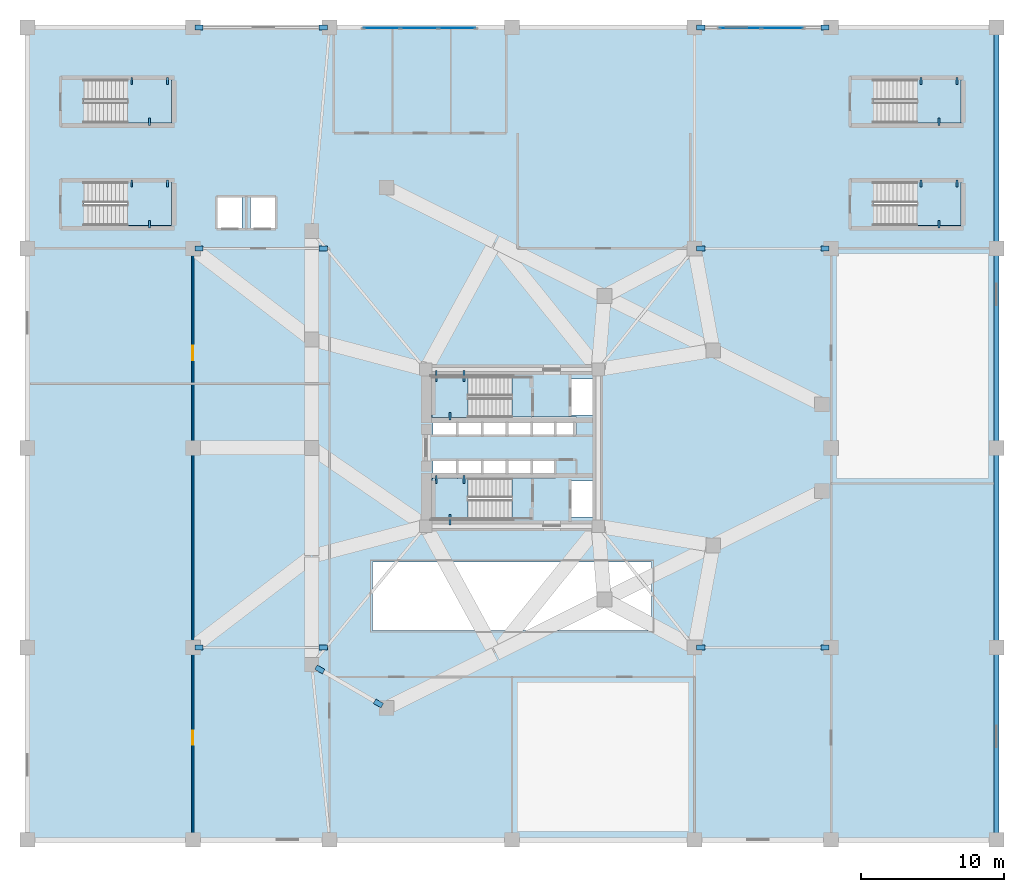
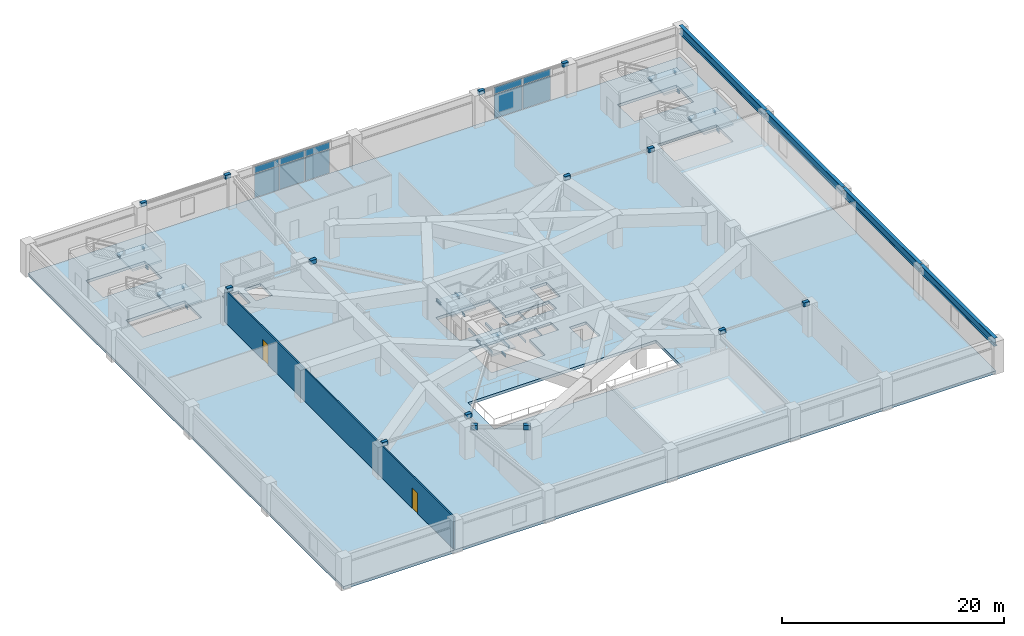
# One storey, part 4 of 16: 24 plates, 22 beams, 7 slabs, 2 doors, 1 wall, 2 openings, 8 elements without a shape of their own.
"""IFC4 building model written with IfcOpenShell, lengths in metres."""

from ifc_helpers import new_model, si_unit, direction, frame, frame_2d, origin, origin_2d, place, context, subcontext, project, spatial, polyline, rectangle, i_section, outline, extrude, source, transform, mapped, material, layer, layer_set, material_profile, profile_set, type_object, element, fill, aggregate, save


model = new_model("IFC4")

# Units and contexts
model_context = context("Model", 3, precision=1e-05, world=origin(), true_north=direction((0.0, 1.0)))
body_context = subcontext(model_context, "Body", "Model", "MODEL_VIEW")
ifc_project = project(units=[si_unit("LENGTHUNIT", "METRE"), si_unit("AREAUNIT", "SQUARE_METRE"), si_unit("VOLUMEUNIT", "CUBIC_METRE"), si_unit("PLANEANGLEUNIT", "RADIAN"), si_unit("MASSUNIT", "GRAM", prefix="KILO")], contexts=[model_context])

# Site, building, storey
site_placement = place(None, origin())
site = spatial("IfcSite", under=ifc_project, at=site_placement, CompositionType="ELEMENT")
building_placement = place(site_placement, origin())
building = spatial("IfcBuilding", under=site, at=building_placement, Name="Yunling Apex Tower", CompositionType="ELEMENT")
storey_placement = place(building_placement, frame((0.0, 0.0, 16.199951171875)))
storey = spatial("IfcBuildingStorey", under=building, at=storey_placement, Name="L05", CompositionType="ELEMENT", Elevation=16.199951171875)

# Beams
ifc_material_1 = material(Name="Steel Q355B", Category="steel")
ifc_material_profile_1 = material_profile(ifc_material_1, i_section(OverallWidth=0.125, OverallDepth=0.25, WebThickness=0.006103515625, FlangeThickness=0.009033203125, FilletRadius=0.011962890625, at=origin_2d()))
ifc_profile_set_1 = profile_set([ifc_material_profile_1], Name="Steel Q355B")
beam_type_1 = type_object("IfcBeamType", Name="BL-LNT-1", PredefinedType="LINTEL", material=ifc_profile_set_1)
shared_shape_1 = source(origin(), body_context, "Body", "SweptSolid", [
    extrude(i_section(OverallWidth=0.125, OverallDepth=0.25, WebThickness=0.006103515625, FlangeThickness=0.009033203125, FilletRadius=0.011962890625, at=origin_2d()), origin(), (0.0, 0.0, 1.0), 0.760009765625),
])
for number, where, z_axis, x_axis, name in (
    (1, (-5.320068359375, 5.419921875, 1.630126953125), (0.0, -1.0, 0.0), (1.0, 0.0, 0.0), "L05 ST-1 Landing Bearing Corbel 1-1"),
    (2, (-3.3701171875, 5.419921875, 1.630126953125), (0.0, -1.0, 0.0), (1.0, 0.0, 0.0), "L05 ST-1 Landing Bearing Corbel 1-2"),
    (3, (-4.344970703125, -5.419921875, 1.630126953125), (0.0, 1.0, 0.0), (-1.0, 0.0, 0.0), "L05 ST-2 Landing Bearing Corbel 1-3"),
):
    element("IfcBeam", number, at=place(storey_placement, frame(where, z_axis=z_axis, x_axis=x_axis)), inside=storey, type_object=beam_type_1, Name=name, PredefinedType="LINTEL", context=body_context, shape_type="MappedRepresentation", body=[
        mapped(shared_shape_1, transform((0.0, 0.0, 0.0), scale=1.0)),
    ])
shared_shape_2 = source(origin(), body_context, "Body", "SweptSolid", [
    extrude(i_section(OverallWidth=0.125, OverallDepth=0.25, WebThickness=0.006103515625, FlangeThickness=0.009033203125, FilletRadius=0.011962890625, at=origin_2d()), origin(), (0.0, 0.0, 1.0), 0.550048828125),
])
for number, where, z_axis, x_axis, name in (
    (4, (-4.344970703125, 1.93994140625, 1.630126953125), (0.0, 1.0, 0.0), (-1.0, 0.0, 0.0), "L05 ST-1 Landing Bearing Corbel 1-3"),
    (5, (-5.320068359375, -1.93994140625, 1.630126953125), (0.0, -1.0, 0.0), (1.0, 0.0, 0.0), "L05 ST-2 Landing Bearing Corbel 1-1"),
    (6, (-3.3701171875, -1.93994140625, 1.630126953125), (0.0, -1.0, 0.0), (1.0, 0.0, 0.0), "L05 ST-2 Landing Bearing Corbel 1-2"),
):
    element("IfcBeam", number, at=place(storey_placement, frame(where, z_axis=z_axis, x_axis=x_axis)), inside=storey, type_object=beam_type_1, Name=name, PredefinedType="LINTEL", context=body_context, shape_type="MappedRepresentation", body=[
        mapped(shared_shape_2, transform((0.0, 0.0, 0.0), scale=1.0)),
    ])
shared_shape_3 = source(origin(), body_context, "Body", "SweptSolid", [
    extrude(i_section(OverallWidth=0.125, OverallDepth=0.25, WebThickness=0.006103515625, FlangeThickness=0.009033203125, FilletRadius=0.011962890625, at=origin_2d()), origin(), (0.0, 0.0, 1.0), 0.47998046875),
])
for number, where, z_axis, x_axis, name in (
    (7, (-26.68994140625, 18.780029296875, 1.630126953125), (0.0, -1.0, 0.0), (1.0, 0.0, 0.0), "L05 ST-P1 Landing Bearing Corbel 1-1"),
    (8, (-24.179931640625, 18.780029296875, 1.630126953125), (0.0, -1.0, 0.0), (1.0, 0.0, 0.0), "L05 ST-P1 Landing Bearing Corbel 1-2"),
    (9, (28.7099609375, 18.780029296875, 1.630126953125), (0.0, -1.0, 0.0), (1.0, 0.0, 0.0), "L05 ST-P2 Landing Bearing Corbel 1-1"),
    (10, (31.219970703125, 18.780029296875, 1.630126953125), (0.0, -1.0, 0.0), (1.0, 0.0, 0.0), "L05 ST-P2 Landing Bearing Corbel 1-2"),
    (11, (-26.68994140625, 25.97998046875, 1.630126953125), (0.0, -1.0, 0.0), (1.0, 0.0, 0.0), "L05 ST-G1 Landing Bearing Corbel 1-1"),
    (12, (-24.179931640625, 25.97998046875, 1.630126953125), (0.0, -1.0, 0.0), (1.0, 0.0, 0.0), "L05 ST-G1 Landing Bearing Corbel 1-2"),
    (13, (28.7099609375, 25.97998046875, 1.630126953125), (0.0, -1.0, 0.0), (1.0, 0.0, 0.0), "L05 ST-G2 Landing Bearing Corbel 1-1"),
    (14, (31.219970703125, 25.97998046875, 1.630126953125), (0.0, -1.0, 0.0), (1.0, 0.0, 0.0), "L05 ST-G2 Landing Bearing Corbel 1-2"),
):
    element("IfcBeam", number, at=place(storey_placement, frame(where, z_axis=z_axis, x_axis=x_axis)), inside=storey, type_object=beam_type_1, Name=name, PredefinedType="LINTEL", context=body_context, shape_type="MappedRepresentation", body=[
        mapped(shared_shape_3, transform((0.0, 0.0, 0.0), scale=1.0)),
    ])
shared_shape_4 = source(origin(), body_context, "Body", "SweptSolid", [
    extrude(i_section(OverallWidth=0.125, OverallDepth=0.25, WebThickness=0.006103515625, FlangeThickness=0.009033203125, FilletRadius=0.011962890625, at=origin_2d()), origin(), (0.0, 0.0, 1.0), 0.530029296875),
])
for number, where, z_axis, x_axis, name in (
    (15, (-25.43505859375, 15.419921875, 1.630126953125), (0.0, 1.0, 0.0), (-1.0, 0.0, 0.0), "L05 ST-P1 Landing Bearing Corbel 1-3"),
    (16, (29.965087890625, 15.419921875, 1.630126953125), (0.0, 1.0, 0.0), (-1.0, 0.0, 0.0), "L05 ST-P2 Landing Bearing Corbel 1-3"),
):
    element("IfcBeam", number, at=place(storey_placement, frame(where, z_axis=z_axis, x_axis=x_axis)), inside=storey, type_object=beam_type_1, Name=name, PredefinedType="LINTEL", context=body_context, shape_type="MappedRepresentation", body=[
        mapped(shared_shape_4, transform((0.0, 0.0, 0.0), scale=1.0)),
    ])
shared_shape_5 = source(origin(), body_context, "Body", "SweptSolid", [
    extrude(i_section(OverallWidth=0.125, OverallDepth=0.25, WebThickness=0.006103515625, FlangeThickness=0.009033203125, FilletRadius=0.011962890625, at=origin_2d()), origin(), (0.0, 0.0, 1.0), 0.52978515625),
])
for number, where, z_axis, x_axis, name in (
    (17, (-25.43505859375, 22.6201171875, 1.630126953125), (0.0, 1.0, 0.0), (-1.0, 0.0, 0.0), "L05 ST-G1 Landing Bearing Corbel 1-3"),
    (18, (29.965087890625, 22.6201171875, 1.630126953125), (0.0, 1.0, 0.0), (-1.0, 0.0, 0.0), "L05 ST-G2 Landing Bearing Corbel 1-3"),
):
    element("IfcBeam", number, at=place(storey_placement, frame(where, z_axis=z_axis, x_axis=x_axis)), inside=storey, type_object=beam_type_1, Name=name, PredefinedType="LINTEL", context=body_context, shape_type="MappedRepresentation", body=[
        mapped(shared_shape_5, transform((0.0, 0.0, 0.0), scale=1.0)),
    ])
ifc_material_profile_2 = material_profile(ifc_material_1, i_section(OverallWidth=0.35009765625, OverallDepth=0.89990234375, WebThickness=0.01806640625, FlangeThickness=0.028076171875, FilletRadius=0.02392578125, at=origin_2d()))
ifc_profile_set_2 = profile_set([ifc_material_profile_2], Name="Steel Q355B")
beam_type_2 = type_object("IfcBeamType", Name="BG-PRI-1", PredefinedType="USERDEFINED", material=ifc_profile_set_2)
shared_shape_6 = source(origin(), body_context, "Body", "SweptSolid", [
    extrude(i_section(OverallWidth=0.35009765625, OverallDepth=0.89990234375, WebThickness=0.01806640625, FlangeThickness=0.028076171875, FilletRadius=0.02392578125, at=origin_2d()), origin(), (0.0, 0.0, 1.0), 13.419921875),
])
beam_1_placement = place(storey_placement, frame((34.0, -27.4599609375, 3.130126953125), z_axis=(0.0, 1.0, 0.0), x_axis=(-1.0, 0.0, 0.0)))
element("IfcBeam", 19, at=beam_1_placement, inside=storey, type_object=beam_type_2, Name="L05 Podium Side Girder 17", ObjectType="GIRDER", PredefinedType="USERDEFINED", context=body_context, shape_type="MappedRepresentation", body=[
    mapped(shared_shape_6, transform((0.0, 0.0, 0.0), scale=1.0)),
])
shared_shape_7 = source(origin(), body_context, "Body", "SweptSolid", [
    extrude(i_section(OverallWidth=0.35009765625, OverallDepth=0.89990234375, WebThickness=0.01806640625, FlangeThickness=0.028076171875, FilletRadius=0.02392578125, at=origin_2d()), origin(), (0.0, 0.0, 1.0), 13.919921875),
])
for number, where, z_axis, x_axis, name in (
    (20, (34.0, -13.9599609375, 3.130126953125), (0.0, 1.0, 0.0), (-1.0, 0.0, 0.0), "L05 Podium Side Girder 18"),
    (21, (34.0, 0.0400390625, 3.130126953125), (0.0, 1.0, 0.0), (-1.0, 0.0, 0.0), "L05 Podium Side Girder 19"),
):
    element("IfcBeam", number, at=place(storey_placement, frame(where, z_axis=z_axis, x_axis=x_axis)), inside=storey, type_object=beam_type_2, Name=name, ObjectType="GIRDER", PredefinedType="USERDEFINED", context=body_context, shape_type="MappedRepresentation", body=[
        mapped(shared_shape_7, transform((0.0, 0.0, 0.0), scale=1.0)),
    ])
shared_shape_8 = source(origin(), body_context, "Body", "SweptSolid", [
    extrude(i_section(OverallWidth=0.35009765625, OverallDepth=0.89990234375, WebThickness=0.01806640625, FlangeThickness=0.028076171875, FilletRadius=0.02392578125, at=origin_2d()), origin(), (0.0, 0.0, 1.0), 15.419921875),
])
beam_2_placement = place(storey_placement, frame((34.0, 14.0400390625, 3.130126953125), z_axis=(0.0, 1.0, 0.0), x_axis=(-1.0, 0.0, 0.0)))
element("IfcBeam", 22, at=beam_2_placement, inside=storey, type_object=beam_type_2, Name="L05 Podium Side Girder 20", ObjectType="GIRDER", PredefinedType="USERDEFINED", context=body_context, shape_type="MappedRepresentation", body=[
    mapped(shared_shape_8, transform((0.0, 0.0, 0.0), scale=1.0)),
])

# Stair, slab
ifc_material_2 = material(Name="Concrete C40", Category="concrete")
stair_type_1 = type_object("IfcStairType", Name="ST-TWR-1", PredefinedType="HALF_TURN_STAIR", material=ifc_material_2)
stair_1_placement = place(storey_placement, origin())
stair_1 = element("IfcStair", 23, at=stair_1_placement, inside=storey, type_object=stair_type_1, Name="L05 North Core Smokeproof Exit Stair ST-1", PredefinedType="HALF_TURN_STAIR")
ifc_layer_1 = layer(ifc_material_2, 0.195068359375)
ifc_layer_set_1 = layer_set([ifc_layer_1], Name="Concrete C40")
slab_type_1 = type_object("IfcSlabType", Name="SL-LND-1", PredefinedType="LANDING", material=ifc_layer_set_1)
slab_1_placement = place(storey_placement, frame((0.0, 0.0, 1.755126953125)))
slab_1 = element("IfcSlab", 24, at=slab_1_placement, type_object=slab_type_1, Name="ST-1 landing 1", PredefinedType="LANDING", context=body_context, shape_type="SweptSolid", body=[
    extrude(outline(polyline([(-3.090087890625, 5.010009765625), (-5.60009765625, 5.010009765625), (-5.60009765625, 2.139892578125), (-3.090087890625, 2.139892578125), (-3.090087890625, 5.010009765625)])), origin(), (0.0, 0.0, 1.0), 0.19482421875),
])
aggregate(stair_1, [slab_1])

stair_2_placement = place(storey_placement, origin())
stair_2 = element("IfcStair", 25, at=stair_2_placement, inside=storey, type_object=stair_type_1, Name="L05 South Core Smokeproof Exit Stair ST-2", PredefinedType="HALF_TURN_STAIR")
slab_2_placement = place(storey_placement, frame((0.0, 0.0, 1.755126953125)))
slab_2 = element("IfcSlab", 26, at=slab_2_placement, type_object=slab_type_1, Name="ST-2 landing 1", PredefinedType="LANDING", context=body_context, shape_type="SweptSolid", body=[
    extrude(outline(polyline([(-3.090087890625, -2.139892578125), (-5.60009765625, -2.139892578125), (-5.60009765625, -5.010009765625), (-3.090087890625, -5.010009765625), (-3.090087890625, -2.139892578125)])), origin(), (0.0, 0.0, 1.0), 0.19482421875),
])
aggregate(stair_2, [slab_2])

stair_type_2 = type_object("IfcStairType", Name="ST-POD-1", PredefinedType="HALF_TURN_STAIR", material=ifc_material_2)
stair_3_placement = place(storey_placement, origin())
stair_3 = element("IfcStair", 27, at=stair_3_placement, inside=storey, type_object=stair_type_2, Name="L05 West Podium Smokeproof Stair ST-P1", PredefinedType="HALF_TURN_STAIR")
slab_3_placement = place(storey_placement, frame((0.0, 0.0, 1.755126953125)))
slab_3 = element("IfcSlab", 28, at=slab_3_placement, type_object=slab_type_1, Name="ST-P1 landing 1", PredefinedType="LANDING", context=body_context, shape_type="SweptSolid", body=[
    extrude(outline(polyline([(-26.969970703125, 15.60009765625), (-23.89990234375, 15.60009765625), (-23.89990234375, 18.64990234375), (-26.969970703125, 18.64990234375), (-26.969970703125, 15.60009765625)])), origin(), (0.0, 0.0, 1.0), 0.19482421875),
])
aggregate(stair_3, [slab_3])

stair_4_placement = place(storey_placement, origin())
stair_4 = element("IfcStair", 29, at=stair_4_placement, inside=storey, type_object=stair_type_2, Name="L05 East Podium Smokeproof Stair ST-P2", PredefinedType="HALF_TURN_STAIR")
slab_4_placement = place(storey_placement, frame((0.0, 0.0, 1.755126953125)))
slab_4 = element("IfcSlab", 30, at=slab_4_placement, type_object=slab_type_1, Name="ST-P2 landing 1", PredefinedType="LANDING", context=body_context, shape_type="SweptSolid", body=[
    extrude(outline(polyline([(28.429931640625, 15.60009765625), (31.5, 15.60009765625), (31.5, 18.64990234375), (28.429931640625, 18.64990234375), (28.429931640625, 15.60009765625)])), origin(), (0.0, 0.0, 1.0), 0.19482421875),
])
aggregate(stair_4, [slab_4])

stair_type_3 = type_object("IfcStairType", Name="ST-GDN-1", PredefinedType="STRAIGHT_RUN_STAIR", material=ifc_material_2)
stair_5_placement = place(storey_placement, origin())
stair_5 = element("IfcStair", 31, at=stair_5_placement, inside=storey, type_object=stair_type_3, Name="L05 West Plaza-to-Garden External Stair ST-G1", PredefinedType="HALF_TURN_STAIR")
slab_5_placement = place(storey_placement, frame((0.0, 0.0, 1.755126953125)))
slab_5 = element("IfcSlab", 32, at=slab_5_placement, type_object=slab_type_1, Name="ST-G1 landing 1", PredefinedType="LANDING", context=body_context, shape_type="SweptSolid", body=[
    extrude(outline(polyline([(-26.969970703125, 22.800048828125), (-23.89990234375, 22.800048828125), (-23.89990234375, 25.85009765625), (-26.969970703125, 25.85009765625), (-26.969970703125, 22.800048828125)])), origin(), (0.0, 0.0, 1.0), 0.19482421875),
])
aggregate(stair_5, [slab_5])

stair_6_placement = place(storey_placement, origin())
stair_6 = element("IfcStair", 33, at=stair_6_placement, inside=storey, type_object=stair_type_3, Name="L05 East Plaza-to-Garden External Stair ST-G2", PredefinedType="HALF_TURN_STAIR")
slab_6_placement = place(storey_placement, frame((0.0, 0.0, 1.755126953125)))
slab_6 = element("IfcSlab", 34, at=slab_6_placement, type_object=slab_type_1, Name="ST-G2 landing 1", PredefinedType="LANDING", context=body_context, shape_type="SweptSolid", body=[
    extrude(outline(polyline([(28.429931640625, 22.800048828125), (31.5, 22.800048828125), (31.5, 25.85009765625), (28.429931640625, 25.85009765625), (28.429931640625, 22.800048828125)])), origin(), (0.0, 0.0, 1.0), 0.19482421875),
])
aggregate(stair_6, [slab_6])

# Slab
ifc_layer_2 = layer(ifc_material_2, 0.31005859375)
ifc_layer_set_2 = layer_set([ifc_layer_2], Name="Concrete C40")
slab_type_2 = type_object("IfcSlabType", Name="SL-POD-2", PredefinedType="FLOOR", material=ifc_layer_set_2)
slab_7_placement = place(storey_placement, frame((0.0, 0.0, -0.31005859375)))
element("IfcSlab", 35, at=slab_7_placement, inside=storey, type_object=slab_type_2, Name="L05 Structural Floor Slab", PredefinedType="FLOOR", context=body_context, shape_type="SweptSolid", body=[
    extrude(outline(polyline([(-34.0, -27.5), (34.0, -27.5), (34.0, 29.5), (-34.0, 29.5), (-34.0, -27.5)]), holes=[polyline([(31.5, 15.60009765625), (25.35009765625, 15.60009765625), (25.35009765625, 18.64990234375), (31.5, 18.64990234375), (31.5, 15.60009765625)]), polyline([(31.5, 22.800048828125), (25.35009765625, 22.800048828125), (25.35009765625, 25.85009765625), (31.5, 25.85009765625), (31.5, 22.800048828125)]), polyline([(9.800048828125, -8.0), (9.800048828125, -12.800048828125), (-9.800048828125, -12.800048828125), (-9.800048828125, -8.0), (9.800048828125, -8.0)]), polyline([(5.81005859375, -2.320068359375), (5.81005859375, -4.840087890625), (4.090087890625, -4.840087890625), (4.090087890625, -2.320068359375), (5.81005859375, -2.320068359375)]), polyline([(5.81005859375, 4.840087890625), (5.81005859375, 2.320068359375), (4.090087890625, 2.320068359375), (4.090087890625, 4.840087890625), (5.81005859375, 4.840087890625)]), polyline([(4.534912109375, 0.794921875), (1.364990234375, 0.794921875), (1.364990234375, 2.1650390625), (4.534912109375, 2.1650390625), (4.534912109375, 0.794921875)]), polyline([(3.034912109375, -2.1650390625), (1.364990234375, -2.1650390625), (1.364990234375, -0.794921875), (3.034912109375, -0.794921875), (3.034912109375, -2.1650390625)]), polyline([(-5.60009765625, 5.010009765625), (-0.010009765625, 5.010009765625), (-0.010009765625, 2.1650390625), (1.3349609375, 2.1650390625), (1.3349609375, 0.794921875), (-0.3349609375, 0.794921875), (-0.3349609375, 2.139892578125), (-0.364990234375, 2.139892578125), (-0.364990234375, 0.794921875), (-2.034912109375, 0.794921875), (-2.034912109375, 2.139892578125), (-2.1650390625, 2.139892578125), (-2.1650390625, 0.794921875), (-3.8349609375, 0.794921875), (-3.8349609375, 2.139892578125), (-3.864990234375, 2.139892578125), (-3.864990234375, 0.794921875), (-5.534912109375, 0.794921875), (-5.534912109375, 2.139892578125), (-5.60009765625, 2.139892578125), (-5.60009765625, 5.010009765625)]), polyline([(-3.864990234375, -0.794921875), (-3.864990234375, -2.139892578125), (-3.8349609375, -2.139892578125), (-3.8349609375, -0.794921875), (-2.1650390625, -0.794921875), (-2.1650390625, -2.139892578125), (-2.034912109375, -2.139892578125), (-2.034912109375, -0.794921875), (-0.364990234375, -0.794921875), (-0.364990234375, -2.139892578125), (-0.3349609375, -2.139892578125), (-0.3349609375, -0.794921875), (1.3349609375, -0.794921875), (1.3349609375, -2.1650390625), (-0.010009765625, -2.1650390625), (-0.010009765625, -5.010009765625), (-5.60009765625, -5.010009765625), (-5.60009765625, -2.139892578125), (-5.534912109375, -2.139892578125), (-5.534912109375, -0.794921875), (-3.864990234375, -0.794921875)]), polyline([(-16.639892578125, 17.56005859375), (-16.639892578125, 15.43994140625), (-18.360107421875, 15.43994140625), (-18.360107421875, 17.56005859375), (-16.639892578125, 17.56005859375)]), polyline([(-18.93994140625, 15.43994140625), (-20.659912109375, 15.43994140625), (-20.659912109375, 17.56005859375), (-18.93994140625, 17.56005859375), (-18.93994140625, 15.43994140625)]), polyline([(-23.89990234375, 15.60009765625), (-30.050048828125, 15.60009765625), (-30.050048828125, 18.64990234375), (-23.89990234375, 18.64990234375), (-23.89990234375, 15.60009765625)]), polyline([(-23.89990234375, 22.800048828125), (-30.050048828125, 22.800048828125), (-30.050048828125, 25.85009765625), (-23.89990234375, 25.85009765625), (-23.89990234375, 22.800048828125)])]), origin(), (0.0, 0.0, 1.0), 0.31005859375),
])

# Plates
ifc_layer_3 = layer(ifc_material_1, 0.031982421875)
ifc_layer_set_3 = layer_set([ifc_layer_3], Name="Steel Q355B")
plate_type_1 = type_object("IfcPlateType", Name="NP-GUS-2", PredefinedType="USERDEFINED", material=ifc_layer_set_3)
shared_shape_9 = source(origin(), body_context, "Body", "SweptSolid", [
    extrude(rectangle(XDim=0.6201171875, YDim=0.360107421875, at=origin_2d()), origin(), (0.0, 0.0, 1.0), 0.47998046875),
])
for number, where, z_axis, x_axis, name in (
    (36, (-13.48779296875, -15.546142578125, 2.989990234375), (0.0, 0.0, 1.0), (0.864976307593, -0.501812701416, 0.0), "L05 Atrium Tie Strut End Gusset Plate 440"),
    (37, (-9.372314453125, -17.933837890625, 2.989990234375), (0.0, 0.0, 1.0), (0.864976307593, -0.501812701416, 0.0), "L05 Atrium Tie Strut End Gusset Plate 441"),
):
    element("IfcPlate", number, at=place(storey_placement, frame(where, z_axis=z_axis, x_axis=x_axis)), inside=storey, type_object=plate_type_1, Name=name, ObjectType="GUSSET_PLATE", PredefinedType="USERDEFINED", context=body_context, shape_type="MappedRepresentation", body=[
        mapped(shared_shape_9, transform((0.0, 0.0, 0.0), scale=1.0)),
    ])
shared_shape_10 = source(origin(), body_context, "Body", "SweptSolid", [
    extrude(rectangle(XDim=0.580078125, YDim=0.340087890625, at=origin_2d()), origin(), (0.0, 0.0, 1.0), 0.43994140625),
])
for number, where, z_axis, x_axis, name in (
    (38, (-21.9599609375, -14.0, 3.235107421875), (0.0, 0.0, 1.0), (1.0, 0.0, 0.0), "L05 Skylight Purlin End Gusset Plate 446"),
    (39, (-13.239990234375, -14.0, 3.235107421875), (0.0, 0.0, 1.0), (1.0, 0.0, 0.0), "L05 Skylight Purlin End Gusset Plate 447"),
    (40, (-21.9599609375, 14.0, 3.235107421875), (0.0, 0.0, 1.0), (1.0, 0.0, 0.0), "L05 Skylight Purlin End Gusset Plate 448"),
    (41, (-13.239990234375, 14.0, 3.235107421875), (0.0, 0.0, 1.0), (1.0, 0.0, 0.0), "L05 Skylight Purlin End Gusset Plate 449"),
    (42, (-21.9599609375, 29.5, 3.235107421875), (0.0, 0.0, 1.0), (1.0, 0.0, 0.0), "L05 Skylight Purlin End Gusset Plate 450"),
    (43, (-13.239990234375, 29.5, 3.235107421875), (0.0, 0.0, 1.0), (1.0, 0.0, 0.0), "L05 Skylight Purlin End Gusset Plate 451"),
    (44, (13.239990234375, -14.0, 3.235107421875), (0.0, 0.0, 1.0), (1.0, 0.0, 0.0), "L05 Skylight Purlin End Gusset Plate 452"),
    (45, (21.9599609375, -14.0, 3.235107421875), (0.0, 0.0, 1.0), (1.0, 0.0, 0.0), "L05 Skylight Purlin End Gusset Plate 453"),
    (46, (13.239990234375, 14.0, 3.235107421875), (0.0, 0.0, 1.0), (1.0, 0.0, 0.0), "L05 Skylight Purlin End Gusset Plate 454"),
    (47, (21.9599609375, 14.0, 3.235107421875), (0.0, 0.0, 1.0), (1.0, 0.0, 0.0), "L05 Skylight Purlin End Gusset Plate 455"),
    (48, (13.239990234375, 29.5, 3.235107421875), (0.0, 0.0, 1.0), (1.0, 0.0, 0.0), "L05 Skylight Purlin End Gusset Plate 456"),
    (49, (21.9599609375, 29.5, 3.235107421875), (0.0, 0.0, 1.0), (1.0, 0.0, 0.0), "L05 Skylight Purlin End Gusset Plate 457"),
):
    element("IfcPlate", number, at=place(storey_placement, frame(where, z_axis=z_axis, x_axis=x_axis)), inside=storey, type_object=plate_type_1, Name=name, ObjectType="GUSSET_PLATE", PredefinedType="USERDEFINED", context=body_context, shape_type="MappedRepresentation", body=[
        mapped(shared_shape_10, transform((0.0, 0.0, 0.0), scale=1.0)),
    ])

# Curtain wall, plates
ifc_material_3 = material(Name="Bronze anodised aluminium", Category="aluminium")
ifc_layer_4 = layer(ifc_material_3, 0.280029296875)
ifc_layer_set_4 = layer_set([ifc_layer_4], Name="Bronze anodised aluminium")
curtain_wall_type = type_object("IfcCurtainWallType", Name="CW-SYS-1", PredefinedType="NOTDEFINED", material=ifc_layer_set_4)
curtain_wall_1_placement = place(storey_placement, origin())
curtain_wall_1 = element("IfcCurtainWall", 50, at=curtain_wall_1_placement, inside=storey, type_object=curtain_wall_type, Name="CW-POD-L05-1", PredefinedType="NOTDEFINED")
ifc_material_4 = material(Name="Bronze tinted low-E glass", Category="glass")
ifc_layer_5 = layer(ifc_material_4, 0.035888671875)
ifc_layer_set_5 = layer_set([ifc_layer_5], Name="Bronze tinted low-E glass")
plate_type_2 = type_object("IfcPlateType", Name="CW-PNL-1", PredefinedType="CURTAIN_PANEL", material=ifc_layer_set_5)
shared_shape_11 = source(origin(), body_context, "Body", "SweptSolid", [
    extrude(rectangle(XDim=2.548583984375, YDim=0.035888671875, at=origin_2d()), origin(), (0.0, 0.0, 1.0), 0.73193359375),
])
plate_1_placement = place(storey_placement, frame((-9.144287109375, 29.449951171875, 2.7666015625), z_axis=(0.0, 0.0, 1.0), x_axis=(1.0, 0.0, 0.0)))
plate_1 = element("IfcPlate", 51, at=plate_1_placement, type_object=plate_type_2, Name="CW-SYS-1 panel 1.2", PredefinedType="CURTAIN_PANEL", context=body_context, shape_type="MappedRepresentation", body=[
    mapped(shared_shape_11, transform((0.0, 0.0, 0.0), scale=1.0)),
])
plate_2_placement = place(storey_placement, frame((-3.855712890625, 29.449951171875, 2.7666015625), z_axis=(0.0, 0.0, 1.0), x_axis=(1.0, 0.0, 0.0)))
plate_2 = element("IfcPlate", 52, at=plate_2_placement, type_object=plate_type_2, Name="CW-SYS-1 panel 3.2", PredefinedType="CURTAIN_PANEL", context=body_context, shape_type="MappedRepresentation", body=[
    mapped(shared_shape_11, transform((0.0, 0.0, 0.0), scale=1.0)),
])
shared_shape_12 = source(origin(), body_context, "Body", "SweptSolid", [
    extrude(rectangle(XDim=2.59375, YDim=0.035888671875, at=origin_2d()), origin(), (0.0, 0.0, 1.0), 0.73193359375),
])
plate_3_placement = place(storey_placement, frame((-6.5, 29.449951171875, 2.7666015625), z_axis=(0.0, 0.0, 1.0), x_axis=(1.0, 0.0, 0.0)))
plate_3 = element("IfcPlate", 53, at=plate_3_placement, type_object=plate_type_2, Name="CW-SYS-1 panel 2.2", PredefinedType="CURTAIN_PANEL", context=body_context, shape_type="MappedRepresentation", body=[
    mapped(shared_shape_12, transform((0.0, 0.0, 0.0), scale=1.0)),
])

curtain_wall_2_placement = place(storey_placement, origin())
curtain_wall_2 = element("IfcCurtainWall", 54, at=curtain_wall_2_placement, inside=storey, type_object=curtain_wall_type, Name="CW-POD-L05-2", PredefinedType="NOTDEFINED")
shared_shape_13 = source(origin(), body_context, "Body", "SweptSolid", [
    extrude(rectangle(XDim=2.882080078125, YDim=0.035888671875, at=origin_2d()), origin(), (0.0, 0.0, 1.0), 0.73193359375),
])
plate_4_placement = place(storey_placement, frame((16.0224609375, 29.449951171875, 2.7666015625), z_axis=(0.0, 0.0, 1.0), x_axis=(1.0, 0.0, 0.0)))
plate_4 = element("IfcPlate", 55, at=plate_4_placement, type_object=plate_type_2, Name="CW-SYS-1 panel 1.2", PredefinedType="CURTAIN_PANEL", context=body_context, shape_type="MappedRepresentation", body=[
    mapped(shared_shape_13, transform((0.0, 0.0, 0.0), scale=1.0)),
])
plate_5_placement = place(storey_placement, frame((18.9775390625, 29.449951171875, 2.7666015625), z_axis=(0.0, 0.0, 1.0), x_axis=(1.0, 0.0, 0.0)))
plate_5 = element("IfcPlate", 56, at=plate_5_placement, type_object=plate_type_2, Name="CW-SYS-1 panel 2.2", PredefinedType="CURTAIN_PANEL", context=body_context, shape_type="MappedRepresentation", body=[
    mapped(shared_shape_13, transform((0.0, 0.0, 0.0), scale=1.0)),
])

# Plate
shared_shape_14 = source(origin(), body_context, "Body", "SweptSolid", [
    extrude(rectangle(XDim=2.548583984375, YDim=0.035888671875, at=origin_2d()), origin(), (0.0, 0.0, 1.0), 2.612060546875),
])
plate_6_placement = place(storey_placement, frame((-9.144287109375, 29.449951171875, 0.08154296875), z_axis=(0.0, 0.0, 1.0), x_axis=(1.0, 0.0, 0.0)))
plate_6 = element("IfcPlate", 57, at=plate_6_placement, type_object=plate_type_2, Name="CW-SYS-1 panel 1.1", PredefinedType="CURTAIN_PANEL", context=body_context, shape_type="MappedRepresentation", body=[
    mapped(shared_shape_14, transform((0.0, 0.0, 0.0), scale=1.0)),
])

plate_7_placement = place(storey_placement, frame((-3.855712890625, 29.449951171875, 0.08154296875), z_axis=(0.0, 0.0, 1.0), x_axis=(1.0, 0.0, 0.0)))
plate_7 = element("IfcPlate", 58, at=plate_7_placement, type_object=plate_type_2, Name="CW-SYS-1 panel 3.1", PredefinedType="CURTAIN_PANEL", context=body_context, shape_type="MappedRepresentation", body=[
    mapped(shared_shape_14, transform((0.0, 0.0, 0.0), scale=1.0)),
])

shared_shape_15 = source(origin(), body_context, "Body", "SweptSolid", [
    extrude(rectangle(XDim=2.59375, YDim=0.035888671875, at=origin_2d()), origin(), (0.0, 0.0, 1.0), 2.612060546875),
])
plate_8_placement = place(storey_placement, frame((-6.5, 29.449951171875, 0.08154296875), z_axis=(0.0, 0.0, 1.0), x_axis=(1.0, 0.0, 0.0)))
plate_8 = element("IfcPlate", 59, at=plate_8_placement, type_object=plate_type_2, Name="CW-SYS-1 panel 2.1", PredefinedType="CURTAIN_PANEL", context=body_context, shape_type="MappedRepresentation", body=[
    mapped(shared_shape_15, transform((0.0, 0.0, 0.0), scale=1.0)),
])

aggregate(curtain_wall_1, [plate_6, plate_1, plate_8, plate_3, plate_7, plate_2])

shared_shape_16 = source(origin(), body_context, "Body", "SweptSolid", [
    extrude(rectangle(XDim=2.882080078125, YDim=0.035888671875, at=origin_2d()), origin(), (0.0, 0.0, 1.0), 2.612060546875),
])
plate_9_placement = place(storey_placement, frame((16.0224609375, 29.449951171875, 0.08154296875), z_axis=(0.0, 0.0, 1.0), x_axis=(1.0, 0.0, 0.0)))
plate_9 = element("IfcPlate", 60, at=plate_9_placement, type_object=plate_type_2, Name="CW-SYS-1 panel 1.1", PredefinedType="CURTAIN_PANEL", context=body_context, shape_type="MappedRepresentation", body=[
    mapped(shared_shape_16, transform((0.0, 0.0, 0.0), scale=1.0)),
])

plate_10_placement = place(storey_placement, frame((18.9775390625, 29.449951171875, 0.08154296875), z_axis=(0.0, 0.0, 1.0), x_axis=(1.0, 0.0, 0.0)))
plate_10 = element("IfcPlate", 61, at=plate_10_placement, type_object=plate_type_2, Name="CW-SYS-1 panel 2.1", PredefinedType="CURTAIN_PANEL", context=body_context, shape_type="MappedRepresentation", body=[
    mapped(shared_shape_16, transform((0.0, 0.0, 0.0), scale=1.0)),
])

aggregate(curtain_wall_2, [plate_9, plate_4, plate_10, plate_5])

# Wall, openings, doors
ifc_material_5 = material(Name="Gypsum board acoustic partition")
ifc_layer_6 = layer(ifc_material_5, 0.139892578125)
ifc_layer_set_6 = layer_set([ifc_layer_6], Name="Gypsum board acoustic partition")
wall_type = type_object("IfcWallType", Name="WL-PRT-2", PredefinedType="PARTITIONING", material=ifc_layer_set_6)
wall_placement = place(storey_placement, frame((-22.39990234375, -27.35009765625, 0.0), z_axis=(0.0, 0.0, 1.0), x_axis=(0.0, 1.0, 0.0)))
wall = element("IfcWall", 62, at=wall_placement, inside=storey, type_object=wall_type, Name="WL-L05-WSUB", PredefinedType="PARTITIONING", context=body_context, shape_type="SweptSolid", body=[
    extrude(rectangle(XDim=41.35009765625, YDim=0.139892578125, at=frame_2d((20.675048828125, 0.0))), origin(), (0.0, 0.0, 1.0), 3.56005859375),
])
opening_1_placement = place(wall_placement, frame((6.5, 0.0, 0.0)))
opening_1 = element("IfcOpeningElement", 63, at=opening_1_placement, cuts=wall, Name="Opening DR-OFF-1", PredefinedType="OPENING", context=body_context, shape_type="SweptSolid", body=[
    extrude(rectangle(XDim=1.0, YDim=2.25, at=frame_2d((0.5, 1.125))), frame((0.0, 0.080078125, 0.0), z_axis=(0.0, -1.0, 0.0), x_axis=(1.0, 0.0, 0.0)), (0.0, 0.0, 1.0), 0.159912109375),
])
opening_2_placement = place(wall_placement, frame((33.5, 0.0, 0.0)))
opening_2 = element("IfcOpeningElement", 64, at=opening_2_placement, cuts=wall, Name="Opening DR-OFF-1", PredefinedType="OPENING", context=body_context, shape_type="SweptSolid", body=[
    extrude(rectangle(XDim=1.0, YDim=2.25, at=frame_2d((0.5, 1.125))), frame((0.0, 0.080078125, 0.0), z_axis=(0.0, -1.0, 0.0), x_axis=(1.0, 0.0, 0.0)), (0.0, 0.0, 1.0), 0.159912109375),
])
door_type = type_object("IfcDoorType", Name="DR-OFF-1", OperationType="NOTDEFINED", PredefinedType="DOOR", material=ifc_material_3)
door_1_placement = place(opening_1_placement, origin())
door_1 = element("IfcDoor", 65, at=door_1_placement, inside=storey, type_object=door_type, Name="L05 West Hall Link 1", OperationType="SINGLE_SWING_LEFT", OverallHeight=2.25, OverallWidth=1.0, PredefinedType="DOOR", context=body_context, shape_type="SweptSolid", body=[
    extrude(rectangle(XDim=1.0, YDim=2.25, at=frame_2d((0.5, 1.125))), frame((0.0, 0.02490234375, 0.0), z_axis=(0.0, -1.0, 0.0), x_axis=(1.0, 0.0, 0.0)), (0.0, 0.0, 1.0), 0.050048828125),
])
fill(opening_1, door_1)
door_2_placement = place(opening_2_placement, origin())
door_2 = element("IfcDoor", 66, at=door_2_placement, inside=storey, type_object=door_type, Name="L05 West Hall Link 2", OperationType="SINGLE_SWING_RIGHT", OverallHeight=2.25, OverallWidth=1.0, PredefinedType="DOOR", context=body_context, shape_type="SweptSolid", body=[
    extrude(rectangle(XDim=1.0, YDim=2.25, at=frame_2d((0.5, 1.125))), frame((0.0, 0.02490234375, 0.0), z_axis=(0.0, -1.0, 0.0), x_axis=(1.0, 0.0, 0.0)), (0.0, 0.0, 1.0), 0.050048828125),
])
fill(opening_2, door_2)

save(model, "model.ifc")
